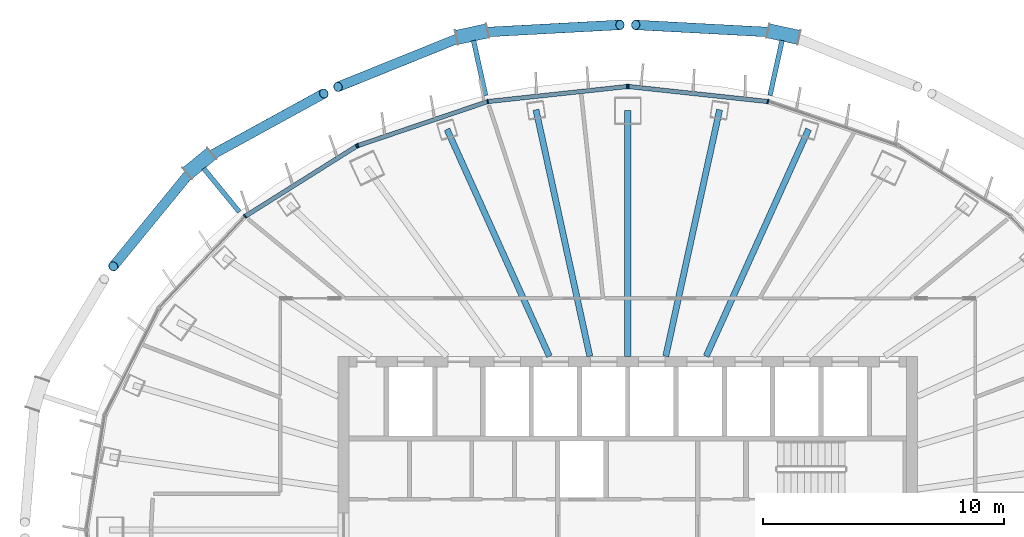
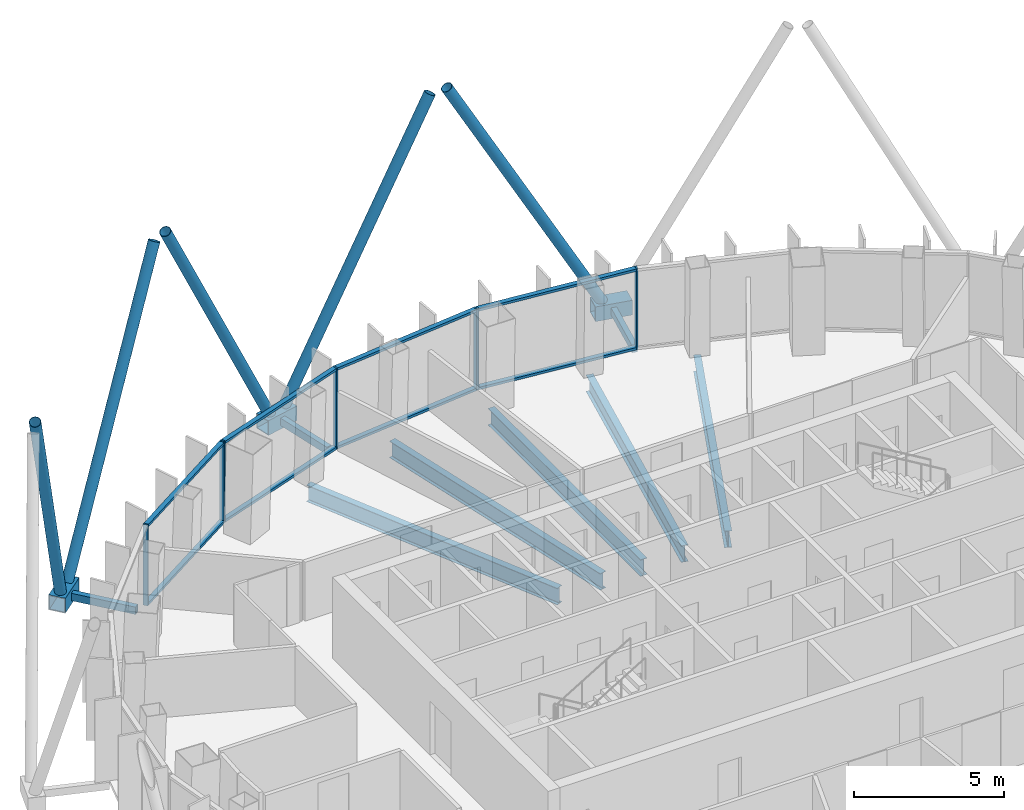
# One storey, part 6 of 18: 26 members, 5 beams, 3 elements without a shape of their own.
"""IFC4 building model written with IfcOpenShell, lengths in metres."""

from ifc_helpers import new_model, si_unit, direction, frame, origin, origin_2d, place, context, subcontext, project, spatial, rectangle, hollow_rectangle, hollow_circle, i_section, extrude, material, layer, layer_set, material_profile, profile_set, type_object, element, aggregate, save


model = new_model("IFC4")

# Units and contexts
model_context = context("Model", 3, precision=1e-05, world=origin(), true_north=direction((0.0, 1.0)))
body_context = subcontext(model_context, "Body", "Model", "MODEL_VIEW")
ifc_project = project(units=[si_unit("LENGTHUNIT", "METRE"), si_unit("AREAUNIT", "SQUARE_METRE"), si_unit("VOLUMEUNIT", "CUBIC_METRE"), si_unit("PLANEANGLEUNIT", "RADIAN"), si_unit("MASSUNIT", "GRAM", prefix="KILO")], contexts=[model_context])

# Site, building, storey
site_placement = place(None, origin())
site = spatial("IfcSite", under=ifc_project, at=site_placement, CompositionType="ELEMENT")
building_placement = place(site_placement, origin())
building = spatial("IfcBuilding", under=site, at=building_placement, Name="Siaravel Broadcast Tower", CompositionType="ELEMENT")
storey_placement = place(building_placement, frame((0.0, 0.0, 201.5)))
storey = spatial("IfcBuildingStorey", under=building, at=storey_placement, Name="L49", CompositionType="ELEMENT", Elevation=201.5)

# Beams
ifc_material_1 = material(Name="Steel S355", Category="steel")
ifc_material_profile_1 = material_profile(ifc_material_1, i_section(OverallWidth=0.2529296875, OverallDepth=0.677978515625, WebThickness=0.01171875, FlangeThickness=0.01611328125, FilletRadius=0.01513671875, at=origin_2d()))
ifc_profile_set_1 = profile_set([ifc_material_profile_1], Name="Steel S355")
beam_type = type_object("IfcBeamType", Name="BM-UB 686x254x125", PredefinedType="BEAM", material=ifc_profile_set_1)
beam_1_placement = place(storey_placement, frame((7.490234375, 16.6044921875, -0.489013671875), z_axis=(-0.411201831, -0.911544324, 0.0), x_axis=(0.911544324, -0.411201831, 0.0)))
element("IfcBeam", 1, at=beam_1_placement, inside=storey, type_object=beam_type, Name="Radial beam RB08", PredefinedType="BEAM", context=body_context, shape_type="SweptSolid", body=[
    extrude(i_section(OverallWidth=0.2529296875, OverallDepth=0.677978515625, WebThickness=0.01171875, FlangeThickness=0.01611328125, FilletRadius=0.01513671875, at=origin_2d()), origin(), (0.0, 0.0, 1.0), 10.317138671875),
])
beam_2_placement = place(storey_placement, frame((3.8046875, 17.413330078125, -0.489013671875), z_axis=(-0.213469829, -0.976949657, 0.0), x_axis=(0.976949657, -0.213469829, 0.0)))
element("IfcBeam", 2, at=beam_2_placement, inside=storey, type_object=beam_type, Name="Radial beam RB09", PredefinedType="BEAM", context=body_context, shape_type="SweptSolid", body=[
    extrude(i_section(OverallWidth=0.2529296875, OverallDepth=0.677978515625, WebThickness=0.01171875, FlangeThickness=0.01611328125, FilletRadius=0.01513671875, at=origin_2d()), origin(), (0.0, 0.0, 1.0), 10.454345703125),
])
beam_3_placement = place(storey_placement, frame((0.0, 17.385986328125, -0.489013671875), z_axis=(0.0, -1.0, 0.0), x_axis=(1.0, 0.0, 0.0)))
element("IfcBeam", 3, at=beam_3_placement, inside=storey, type_object=beam_type, Name="Radial beam RB10", PredefinedType="BEAM", context=body_context, shape_type="SweptSolid", body=[
    extrude(i_section(OverallWidth=0.2529296875, OverallDepth=0.677978515625, WebThickness=0.01171875, FlangeThickness=0.01611328125, FilletRadius=0.01513671875, at=origin_2d()), origin(), (0.0, 0.0, 1.0), 10.18603515625),
])
beam_4_placement = place(storey_placement, frame((-3.8046875, 17.413330078125, -0.489013671875), z_axis=(0.213469829, -0.976949657, 0.0), x_axis=(0.976949657, 0.213469829, 0.0)))
element("IfcBeam", 4, at=beam_4_placement, inside=storey, type_object=beam_type, Name="Radial beam RB11", PredefinedType="BEAM", context=body_context, shape_type="SweptSolid", body=[
    extrude(i_section(OverallWidth=0.2529296875, OverallDepth=0.677978515625, WebThickness=0.01171875, FlangeThickness=0.01611328125, FilletRadius=0.01513671875, at=origin_2d()), origin(), (0.0, 0.0, 1.0), 10.454345703125),
])
beam_5_placement = place(storey_placement, frame((-7.490234375, 16.6044921875, -0.489013671875), z_axis=(0.411201831, -0.911544324, 0.0), x_axis=(0.911544324, 0.411201831, 0.0)))
element("IfcBeam", 5, at=beam_5_placement, inside=storey, type_object=beam_type, Name="Radial beam RB12", PredefinedType="BEAM", context=body_context, shape_type="SweptSolid", body=[
    extrude(i_section(OverallWidth=0.2529296875, OverallDepth=0.677978515625, WebThickness=0.01171875, FlangeThickness=0.01611328125, FilletRadius=0.01513671875, at=origin_2d()), origin(), (0.0, 0.0, 1.0), 10.317138671875),
])

# Curtain wall, members
ifc_material_2 = material(Name="Aluminium 6063-T6", Category="aluminium")
ifc_layer = layer(ifc_material_2, 0.179931640625)
ifc_layer_set = layer_set([ifc_layer], Name="Aluminium 6063-T6")
curtain_wall_type = type_object("IfcCurtainWallType", Name="Unitised curtain wall, zone 3", PredefinedType="NOTDEFINED", material=ifc_layer_set)
curtain_wall_1_placement = place(storey_placement, origin())
curtain_wall_1 = element("IfcCurtainWall", 6, at=curtain_wall_1_placement, inside=storey, type_object=curtain_wall_type, Name="L49 Unitised curtain wall, zone 3 03", PredefinedType="NOTDEFINED")
ifc_material_profile_2 = material_profile(ifc_material_2, rectangle(XDim=0.179931640625, YDim=0.06005859375, at=origin_2d()))
ifc_profile_set_2 = profile_set([ifc_material_profile_2], Name="Aluminium 6063-T6")
member_type_1 = type_object("IfcMemberType", Name="CW-Z3 mullion", PredefinedType="MULLION", material=ifc_profile_set_2)
member_1_placement = place(storey_placement, frame((5.802001953125, 17.7529296875, 0.0), z_axis=(0.0, 0.0, 1.0), x_axis=(-0.215559108, -0.976490794, 0.0)))
member_1 = element("IfcMember", 7, at=member_1_placement, type_object=member_type_1, Name="CW-Z3 mullion 2", PredefinedType="MULLION", context=body_context, shape_type="SweptSolid", body=[
    extrude(rectangle(XDim=0.179931640625, YDim=0.06005859375, at=origin_2d()), origin(), (0.0, 0.0, 1.0), 3.300048828125),
])
member_2_placement = place(storey_placement, frame((0.02978515625, 18.37548828125, 0.0), z_axis=(0.0, 0.0, 1.0), x_axis=(-0.107218032, -0.994235532, 0.0)))
member_2 = element("IfcMember", 8, at=member_2_placement, type_object=member_type_1, Name="CW-Z3 mullion 3", PredefinedType="MULLION", context=body_context, shape_type="SweptSolid", body=[
    extrude(rectangle(XDim=0.179931640625, YDim=0.06005859375, at=origin_2d()), origin(), (0.0, 0.0, 1.0), 3.300048828125),
])

curtain_wall_2_placement = place(storey_placement, origin())
curtain_wall_2 = element("IfcCurtainWall", 9, at=curtain_wall_2_placement, inside=storey, type_object=curtain_wall_type, Name="L49 Unitised curtain wall, zone 3 04", PredefinedType="NOTDEFINED")
member_3_placement = place(storey_placement, frame((-0.02978515625, 18.37548828125, 0.0), z_axis=(0.0, 0.0, 1.0), x_axis=(0.107218032, -0.994235532, 0.0)))
member_3 = element("IfcMember", 10, at=member_3_placement, type_object=member_type_1, Name="CW-Z3 mullion 1", PredefinedType="MULLION", context=body_context, shape_type="SweptSolid", body=[
    extrude(rectangle(XDim=0.179931640625, YDim=0.06005859375, at=origin_2d()), origin(), (0.0, 0.0, 1.0), 3.300048828125),
])
member_4_placement = place(storey_placement, frame((-5.802001953125, 17.7529296875, 0.0), z_axis=(0.0, 0.0, 1.0), x_axis=(0.215559108, -0.976490794, 0.0)))
member_4 = element("IfcMember", 11, at=member_4_placement, type_object=member_type_1, Name="CW-Z3 mullion 2", PredefinedType="MULLION", context=body_context, shape_type="SweptSolid", body=[
    extrude(rectangle(XDim=0.179931640625, YDim=0.06005859375, at=origin_2d()), origin(), (0.0, 0.0, 1.0), 3.300048828125),
])
member_5_placement = place(storey_placement, frame((-11.180908203125, 15.927978515625, 0.0), z_axis=(0.0, 0.0, 1.0), x_axis=(0.321302122, -0.94697674, 0.0)))
member_5 = element("IfcMember", 12, at=member_5_placement, type_object=member_type_1, Name="CW-Z3 mullion 3", PredefinedType="MULLION", context=body_context, shape_type="SweptSolid", body=[
    extrude(rectangle(XDim=0.179931640625, YDim=0.06005859375, at=origin_2d()), origin(), (0.0, 0.0, 1.0), 3.300048828125),
])

curtain_wall_3_placement = place(storey_placement, origin())
curtain_wall_3 = element("IfcCurtainWall", 13, at=curtain_wall_3_placement, inside=storey, type_object=curtain_wall_type, Name="L49 Unitised curtain wall, zone 3 05", PredefinedType="NOTDEFINED")
member_6_placement = place(storey_placement, frame((-11.23486328125, 15.90234375, 0.0), z_axis=(0.0, 0.0, 1.0), x_axis=(0.532151271, -0.846649293, 0.0)))
member_6 = element("IfcMember", 14, at=member_6_placement, type_object=member_type_1, Name="CW-Z3 mullion 1", PredefinedType="MULLION", context=body_context, shape_type="SweptSolid", body=[
    extrude(rectangle(XDim=0.179931640625, YDim=0.06005859375, at=origin_2d()), origin(), (0.0, 0.0, 1.0), 3.300048828125),
])
member_7_placement = place(storey_placement, frame((-15.85400390625, 12.9990234375, 0.0), z_axis=(0.0, 0.0, 1.0), x_axis=(0.636220651, -0.77150715, 0.0)))
member_7 = element("IfcMember", 15, at=member_7_placement, type_object=member_type_1, Name="CW-Z3 mullion 2", PredefinedType="MULLION", context=body_context, shape_type="SweptSolid", body=[
    extrude(rectangle(XDim=0.179931640625, YDim=0.06005859375, at=origin_2d()), origin(), (0.0, 0.0, 1.0), 3.300048828125),
])

# Member
ifc_material_profile_3 = material_profile(ifc_material_2, rectangle(XDim=0.179931640625, YDim=0.10009765625, at=origin_2d()))
ifc_profile_set_3 = profile_set([ifc_material_profile_3], Name="Aluminium 6063-T6")
member_type_2 = type_object("IfcMemberType", Name="CW-Z3 transom", PredefinedType="USERDEFINED", material=ifc_profile_set_3)
member_8_placement = place(storey_placement, frame((5.772216796875, 17.756103515625, 0.050048828125), z_axis=(-0.994232056, 0.107250265, 0.0), x_axis=(-0.107250265, -0.994232056, 0.0)))
member_8 = element("IfcMember", 16, at=member_8_placement, type_object=member_type_2, Name="CW-Z3 transom 2", ObjectType="TRANSOM", PredefinedType="USERDEFINED", context=body_context, shape_type="SweptSolid", body=[
    extrude(rectangle(XDim=0.179931640625, YDim=0.10009765625, at=origin_2d()), origin(), (0.0, 0.0, 1.0), 5.74560546875),
])

member_9_placement = place(storey_placement, frame((5.772216796875, 17.756103515625, 3.25), z_axis=(-0.994232056, 0.107250265, 0.0), x_axis=(-0.107250265, -0.994232056, 0.0)))
member_9 = element("IfcMember", 17, at=member_9_placement, type_object=member_type_2, Name="CW-Z3 transom 2", ObjectType="TRANSOM", PredefinedType="USERDEFINED", context=body_context, shape_type="SweptSolid", body=[
    extrude(rectangle(XDim=0.179931640625, YDim=0.10009765625, at=origin_2d()), origin(), (0.0, 0.0, 1.0), 5.74560546875),
])

aggregate(curtain_wall_1, [member_1, member_2, member_8, member_9])

member_10_placement = place(storey_placement, frame((-0.059814453125, 18.372314453125, 0.050048828125), z_axis=(-0.994232056, -0.107250265, 0.0), x_axis=(0.107250265, -0.994232056, 0.0)))
member_10 = element("IfcMember", 18, at=member_10_placement, type_object=member_type_2, Name="CW-Z3 transom 1", ObjectType="TRANSOM", PredefinedType="USERDEFINED", context=body_context, shape_type="SweptSolid", body=[
    extrude(rectangle(XDim=0.179931640625, YDim=0.10009765625, at=origin_2d()), origin(), (0.0, 0.0, 1.0), 5.74560546875),
])

member_11_placement = place(storey_placement, frame((-0.059814453125, 18.372314453125, 3.25), z_axis=(-0.994232056, -0.107250265, 0.0), x_axis=(0.107250265, -0.994232056, 0.0)))
member_11 = element("IfcMember", 19, at=member_11_placement, type_object=member_type_2, Name="CW-Z3 transom 1", ObjectType="TRANSOM", PredefinedType="USERDEFINED", context=body_context, shape_type="SweptSolid", body=[
    extrude(rectangle(XDim=0.179931640625, YDim=0.10009765625, at=origin_2d()), origin(), (0.0, 0.0, 1.0), 5.74560546875),
])

member_12_placement = place(storey_placement, frame((-5.83056640625, 17.743408203125, 0.050048828125), z_axis=(-0.946966662, -0.321331823, 0.0), x_axis=(0.321331823, -0.946966662, 0.0)))
member_12 = element("IfcMember", 20, at=member_12_placement, type_object=member_type_2, Name="CW-Z3 transom 2", ObjectType="TRANSOM", PredefinedType="USERDEFINED", context=body_context, shape_type="SweptSolid", body=[
    extrude(rectangle(XDim=0.179931640625, YDim=0.10009765625, at=origin_2d()), origin(), (0.0, 0.0, 1.0), 5.6201171875),
])

member_13_placement = place(storey_placement, frame((-5.83056640625, 17.743408203125, 3.25), z_axis=(-0.946966662, -0.321331823, 0.0), x_axis=(0.321331823, -0.946966662, 0.0)))
member_13 = element("IfcMember", 21, at=member_13_placement, type_object=member_type_2, Name="CW-Z3 transom 2", ObjectType="TRANSOM", PredefinedType="USERDEFINED", context=body_context, shape_type="SweptSolid", body=[
    extrude(rectangle(XDim=0.179931640625, YDim=0.10009765625, at=origin_2d()), origin(), (0.0, 0.0, 1.0), 5.6201171875),
])

aggregate(curtain_wall_2, [member_3, member_4, member_5, member_10, member_11, member_12, member_13])

member_14_placement = place(storey_placement, frame((-11.26025390625, 15.88623046875, 0.050048828125), z_axis=(-0.84665344, -0.532144672, 0.0), x_axis=(0.532144672, -0.84665344, 0.0)))
member_14 = element("IfcMember", 22, at=member_14_placement, type_object=member_type_2, Name="CW-Z3 transom 1", ObjectType="TRANSOM", PredefinedType="USERDEFINED", context=body_context, shape_type="SweptSolid", body=[
    extrude(rectangle(XDim=0.179931640625, YDim=0.10009765625, at=origin_2d()), origin(), (0.0, 0.0, 1.0), 5.395751953125),
])

member_15_placement = place(storey_placement, frame((-11.26025390625, 15.88623046875, 3.25), z_axis=(-0.84665344, -0.532144672, 0.0), x_axis=(0.532144672, -0.84665344, 0.0)))
member_15 = element("IfcMember", 23, at=member_15_placement, type_object=member_type_2, Name="CW-Z3 transom 1", ObjectType="TRANSOM", PredefinedType="USERDEFINED", context=body_context, shape_type="SweptSolid", body=[
    extrude(rectangle(XDim=0.179931640625, YDim=0.10009765625, at=origin_2d()), origin(), (0.0, 0.0, 1.0), 5.395751953125),
])

aggregate(curtain_wall_3, [member_6, member_7, member_14, member_15])

# Members
ifc_material_3 = material(Name="Steel S460", Category="steel")
ifc_material_profile_4 = material_profile(ifc_material_3, hollow_circle(Radius=0.203125, WallThickness=0.01611328125, at=origin_2d()))
ifc_profile_set_4 = profile_set([ifc_material_profile_4], Name="Steel S460")
member_type_3 = type_object("IfcMemberType", Name="Diagrid diagonal CHS 406.4x16", PredefinedType="BRACE", material=ifc_profile_set_4)
for number, where, z_axis, x_axis, name in (
    (24, (6.132080078125, 20.616943359375, 0.070068359375), (-0.481801893, 0.025859996, 0.875898508), (-0.053596358, -0.998562682, 0.0), "Diagrid diagonal R20 station 15A"),
    (25, (-6.132080078125, 20.616943359375, 0.070068359375), (0.481801893, 0.025859996, 0.875898508), (-0.053596358, 0.998562682, 0.0), "Diagrid diagonal R20 station 21C"),
):
    element("IfcMember", number, at=place(storey_placement, frame(where, z_axis=z_axis, x_axis=x_axis)), inside=storey, type_object=member_type_3, Name=name, PredefinedType="BRACE", context=body_context, shape_type="SweptSolid", body=[
        extrude(hollow_circle(Radius=0.203125, WallThickness=0.01611328125, at=origin_2d()), origin(), (0.0, 0.0, 1.0), 12.055908203125),
    ])
member_16_placement = place(storey_placement, frame((-6.76416015625, 20.47802734375, 0.070068359375), z_axis=(-0.437706738, -0.176672503, 0.881589268), x_axis=(0.374292406, -0.927310732, 0.0)))
element("IfcMember", 26, at=member_16_placement, inside=storey, type_object=member_type_3, Name="Diagrid diagonal R20 station 21A", PredefinedType="BRACE", context=body_context, shape_type="SweptSolid", body=[
    extrude(hollow_circle(Radius=0.203125, WallThickness=0.01611328125, at=origin_2d()), origin(), (0.0, 0.0, 1.0), 11.978271484375),
])
member_17_placement = place(storey_placement, frame((-17.4912109375, 15.399169921875, 0.070068359375), z_axis=(0.410081758, 0.224832785, 0.883902241), x_axis=(-0.480749166, 0.876858164, 0.0)))
element("IfcMember", 27, at=member_17_placement, inside=storey, type_object=member_type_3, Name="Diagrid diagonal R20 station 27C", PredefinedType="BRACE", context=body_context, shape_type="SweptSolid", body=[
    extrude(hollow_circle(Radius=0.203125, WallThickness=0.01611328125, at=origin_2d()), origin(), (0.0, 0.0, 1.0), 11.94677734375),
])
member_18_placement = place(storey_placement, frame((-17.99169921875, 14.989013671875, 0.070068359375), z_axis=(-0.281967877, -0.344489388, 0.895444682), x_axis=(0.773832966, -0.633389723, 0.0)))
element("IfcMember", 28, at=member_18_placement, inside=storey, type_object=member_type_3, Name="Diagrid diagonal R20 station 27A", PredefinedType="BRACE", context=body_context, shape_type="SweptSolid", body=[
    extrude(hollow_circle(Radius=0.203125, WallThickness=0.01611328125, at=origin_2d()), origin(), (0.0, 0.0, 1.0), 11.792724609375),
])
ifc_material_profile_5 = material_profile(ifc_material_3, hollow_rectangle(XDim=0.60009765625, YDim=0.60009765625, WallThickness=0.031982421875, at=origin_2d()))
ifc_profile_set_5 = profile_set([ifc_material_profile_5], Name="Steel S460")
member_type_4 = type_object("IfcMemberType", Name="Diagrid node BOX 600x600x32", PredefinedType="USERDEFINED", material=ifc_profile_set_5)
for number, where, z_axis, x_axis, name in (
    (29, (7.079833984375, 20.408935546875, -0.199951171875), (-0.976782892, 0.21423161, 0.0), (-0.21423161, -0.976782892, 0.0), "Diagrid node R20 station 15"),
    (30, (-5.81640625, 20.68603515625, -0.199951171875), (-0.976782892, -0.21423161, 0.0), (0.21423161, -0.976782892, 0.0), "Diagrid node R20 station 21"),
    (31, (-17.2412109375, 15.60400390625, -0.199951171875), (-0.773486151, -0.633813201, 0.0), (0.633813201, -0.773486151, 0.0), "Diagrid node R20 station 27"),
):
    element("IfcMember", number, at=place(storey_placement, frame(where, z_axis=z_axis, x_axis=x_axis)), inside=storey, type_object=member_type_4, Name=name, ObjectType="DIAGRID NODE", PredefinedType="USERDEFINED", context=body_context, shape_type="SweptSolid", body=[
        extrude(hollow_rectangle(XDim=0.60009765625, YDim=0.60009765625, WallThickness=0.031982421875, at=origin_2d()), origin(), (0.0, 0.0, 1.0), 1.29345703125),
    ])
ifc_material_profile_6 = material_profile(ifc_material_3, hollow_rectangle(XDim=0.199951171875, YDim=0.300048828125, WallThickness=0.012451171875, at=origin_2d()))
ifc_profile_set_6 = profile_set([ifc_material_profile_6], Name="Steel S460")
member_type_5 = type_object("IfcMemberType", Name="Diagrid node arm RHS 300x200x12.5", PredefinedType="STRUT", material=ifc_profile_set_6)
for number, where, z_axis, x_axis, name in (
    (32, (5.890869140625, 18.0078125, -0.199951171875), (0.214378037, 0.976750765, 0.0), (-0.976750765, 0.214378037, 0.0), "Node arm R20 station 15"),
    (33, (-5.890869140625, 18.0078125, -0.199951171875), (-0.214378037, 0.976750765, 0.0), (-0.976750765, -0.214378037, 0.0), "Node arm R20 station 21"),
):
    element("IfcMember", number, at=place(storey_placement, frame(where, z_axis=z_axis, x_axis=x_axis)), inside=storey, type_object=member_type_5, Name=name, PredefinedType="STRUT", context=body_context, shape_type="SweptSolid", body=[
        extrude(hollow_rectangle(XDim=0.199951171875, YDim=0.300048828125, WallThickness=0.012451171875, at=origin_2d()), origin(), (0.0, 0.0, 1.0), 2.330078125),
    ])
member_19_placement = place(storey_placement, frame((-16.093994140625, 13.1826171875, -0.199951171875), z_axis=(-0.633637135, 0.77363039, 0.0), x_axis=(-0.77363039, -0.633637135, 0.0)))
element("IfcMember", 34, at=member_19_placement, inside=storey, type_object=member_type_5, Name="Node arm R20 station 27", PredefinedType="STRUT", context=body_context, shape_type="SweptSolid", body=[
    extrude(hollow_rectangle(XDim=0.199951171875, YDim=0.300048828125, WallThickness=0.012451171875, at=origin_2d()), origin(), (0.0, 0.0, 1.0), 2.329833984375),
])

save(model, "model.ifc")
